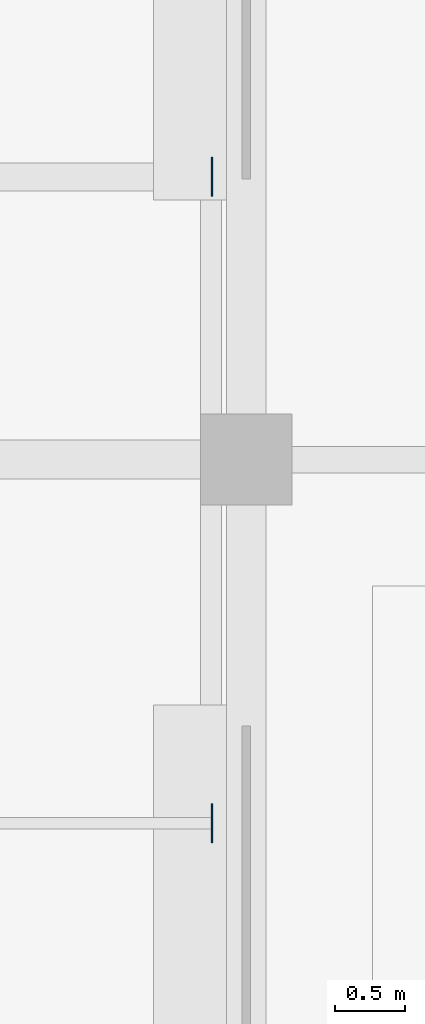
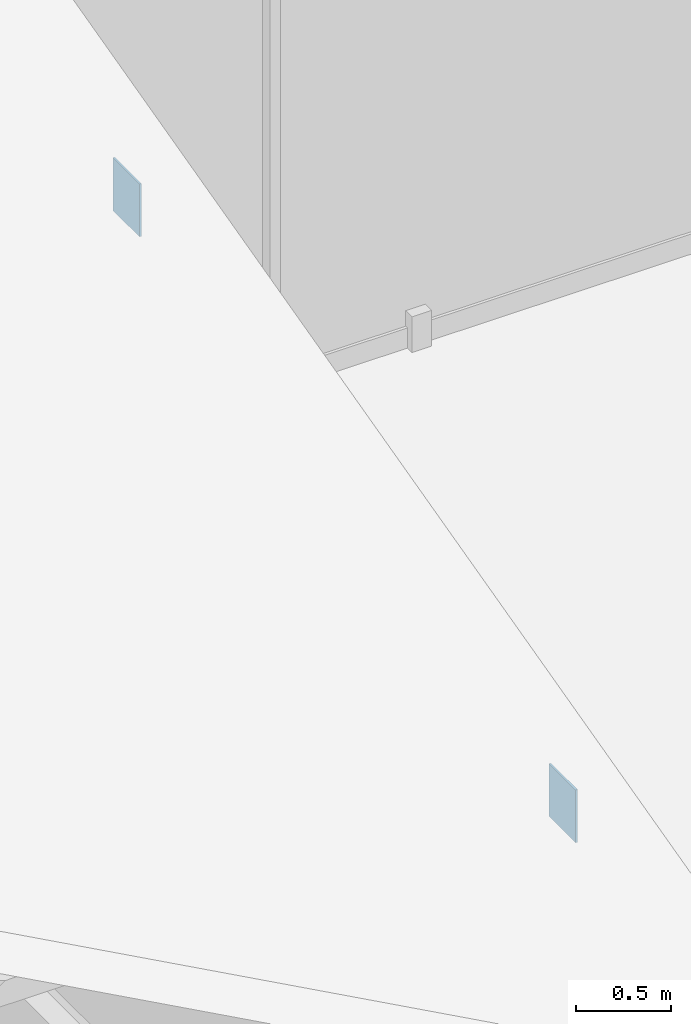
# One storey, part 75 of 108: 2 plates.
"""IFC4 building model written with IfcOpenShell, lengths in metres."""

from ifc_helpers import new_model, si_unit, direction, frame, origin, origin_2d, place, context, subcontext, project, spatial, rectangle, extrude, material, layer, layer_set, type_object, element, save


model = new_model("IFC4")

# Units and contexts
model_context = context("Model", 3, precision=1e-05, world=origin(), true_north=direction((0.0, 1.0)))
body_context = subcontext(model_context, "Body", "Model", "MODEL_VIEW")
ifc_project = project(units=[si_unit("LENGTHUNIT", "METRE"), si_unit("AREAUNIT", "SQUARE_METRE"), si_unit("VOLUMEUNIT", "CUBIC_METRE"), si_unit("PLANEANGLEUNIT", "RADIAN"), si_unit("MASSUNIT", "GRAM", prefix="KILO")], contexts=[model_context])

# Site, building, storey
site_placement = place(None, origin())
site = spatial("IfcSite", under=ifc_project, at=site_placement, CompositionType="ELEMENT")
building_placement = place(site_placement, origin())
building = spatial("IfcBuilding", under=site, at=building_placement, Name="Kangsadwip Square Police Headquarters", CompositionType="ELEMENT")
storey_placement = place(building_placement, frame((0.0, 0.0, 9.449951171875)))
storey = spatial("IfcBuildingStorey", under=building, at=storey_placement, Name="L02", CompositionType="ELEMENT", Elevation=9.449951171875)

# Plates
ifc_material = material(Name="Structural steel IS 2062 E350 (Grade 350, 350 MPa)", Category="steel")
ifc_layer = layer(ifc_material, 0.011962890625)
ifc_layer_set = layer_set([ifc_layer], Name="Structural steel IS 2062 E350 (Grade 350, 350 MPa)")
plate_type = type_object("IfcPlateType", Name="TrussEndCapPlate12", PredefinedType="USERDEFINED", material=ifc_layer_set)
for number, where, z_axis, x_axis, name in (
    (1, (93.35595703125, 105.407958984375, 4.4541015625), (0.0, 0.0, 1.0), (0.0, 1.0, 0.0), "Truss Node Gusset Plate GP-L02-0057"),
    (2, (93.35595703125, 110.01611328125, 5.56787109375), (0.0, 0.0, 1.0), (0.0, 1.0, 0.0), "Truss Node Gusset Plate GP-L02-0058"),
):
    element("IfcPlate", number, at=place(storey_placement, frame(where, z_axis=z_axis, x_axis=x_axis)), inside=storey, type_object=plate_type, Name=name, ObjectType="GUSSET_PLATE", PredefinedType="USERDEFINED", context=body_context, shape_type="SweptSolid", body=[
        extrude(rectangle(XDim=0.280029296875, YDim=0.011962890625, at=origin_2d()), origin(), (0.0, 0.0, 1.0), 0.340087890625),
    ])

save(model, "model.ifc")
